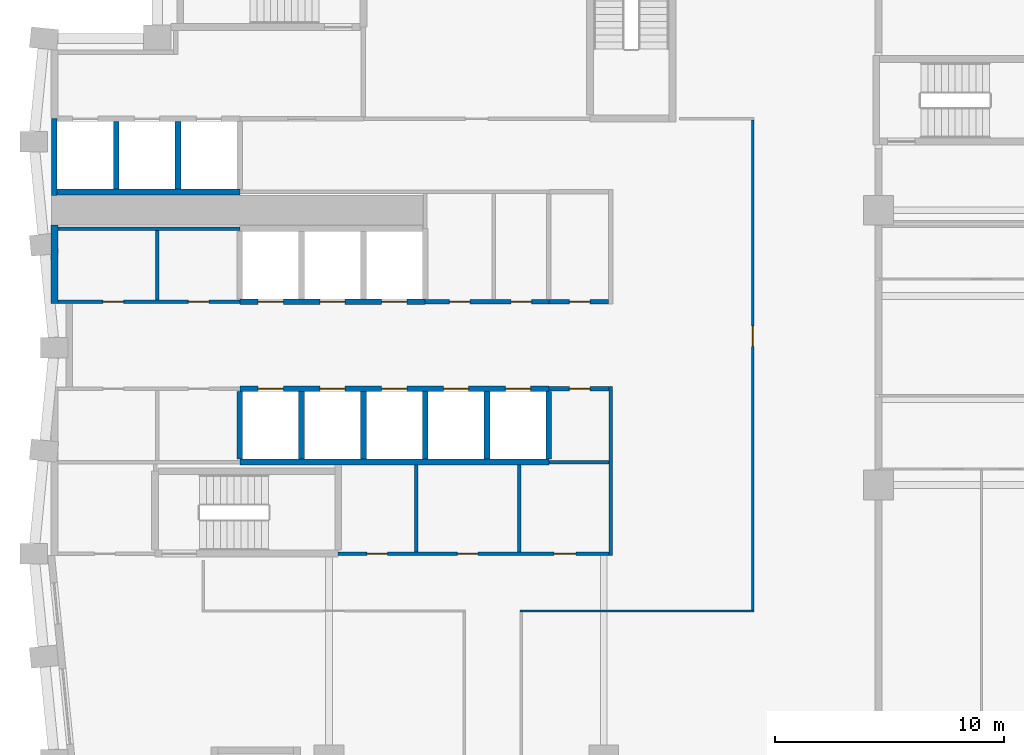
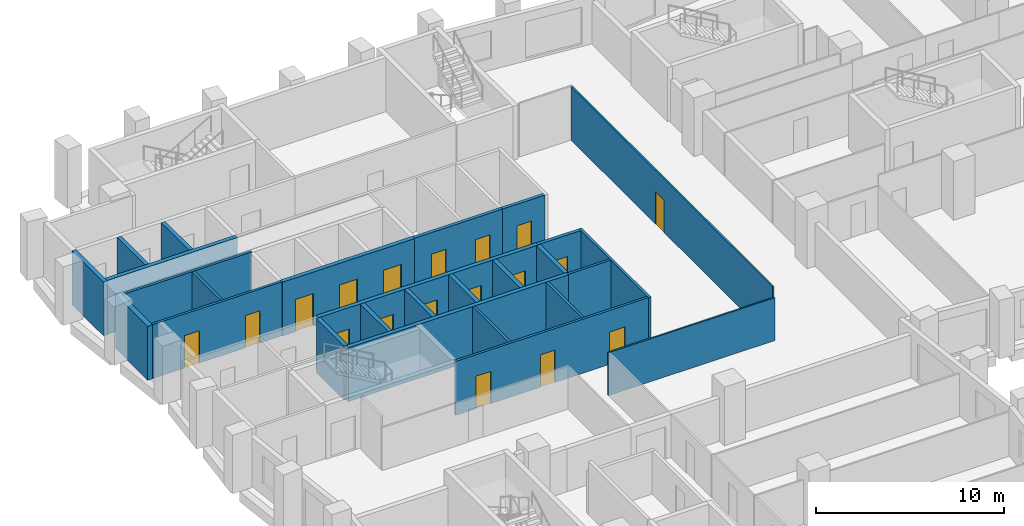
# One storey, part 5 of 11: 27 walls, 18 doors, 18 openings.
"""IFC4 building model written with IfcOpenShell, lengths in metres."""

from ifc_helpers import new_model, si_unit, direction, frame, frame_2d, origin, place, context, subcontext, project, spatial, rectangle, extrude, material, layer, layer_set, type_object, element, fill, save


model = new_model("IFC4")

# Units and contexts
model_context = context("Model", 3, precision=1e-05, world=origin(), true_north=direction((0.0, 1.0)))
body_context = subcontext(model_context, "Body", "Model", "MODEL_VIEW")
ifc_project = project(units=[si_unit("LENGTHUNIT", "METRE"), si_unit("AREAUNIT", "SQUARE_METRE"), si_unit("VOLUMEUNIT", "CUBIC_METRE"), si_unit("PLANEANGLEUNIT", "RADIAN"), si_unit("MASSUNIT", "GRAM", prefix="KILO")], contexts=[model_context])

# Site, building, storey
site_placement = place(None, origin())
site = spatial("IfcSite", under=ifc_project, at=site_placement, CompositionType="ELEMENT")
building_placement = place(site_placement, origin())
building = spatial("IfcBuilding", under=site, at=building_placement, Name="Brondeck Convention Tower", CompositionType="ELEMENT")
storey_placement = place(building_placement, frame((0.0, 0.0, 122.699951171875)))
storey = spatial("IfcBuildingStorey", under=building, at=storey_placement, Name="L29", CompositionType="ELEMENT", Elevation=122.699951171875)

# Wall, openings, doors
ifc_material_1 = material(Name="Concrete C70/85", Category="concrete")
ifc_layer_1 = layer(ifc_material_1, 0.14990234375)
ifc_layer_set_1 = layer_set([ifc_layer_1], Name="Core beam-seat wall 150 Concrete C70/85")
wall_type_1 = type_object("IfcWallType", Name="Core beam-seat wall 150 Concrete C70/85", PredefinedType="SHEAR", material=ifc_layer_set_1)
wall_1_placement = place(storey_placement, frame((12.39990234375, 36.0, 0.0), z_axis=(0.0, 0.0, 1.0), x_axis=(1.0, 0.0, 0.0)))
wall_1 = element("IfcWall", 1, at=wall_1_placement, inside=storey, type_object=wall_type_1, Name="L29 core wall", PredefinedType="SHEAR", context=body_context, shape_type="SweptSolid", body=[
    extrude(rectangle(XDim=11.8251953125, YDim=0.14990234375, at=frame_2d((5.91259765625, 0.0))), origin(), (0.0, 0.0, 1.0), 3.5),
])
opening_1_placement = place(wall_1_placement, frame((1.25, 0.0, 0.0)))
opening_1 = element("IfcOpeningElement", 2, at=opening_1_placement, cuts=wall_1, Name="Opening C17-03", PredefinedType="OPENING", context=body_context, shape_type="SweptSolid", body=[
    extrude(rectangle(XDim=0.89990234375, YDim=2.10009765625, at=frame_2d((0.449951171875, 1.050048828125))), frame((0.0, 0.0849609375, 0.0), z_axis=(0.0, -1.0, 0.0), x_axis=(1.0, 0.0, 0.0)), (0.0, 0.0, 1.0), 0.169921875),
])
opening_2_placement = place(wall_1_placement, frame((5.199951171875, 0.0, 0.0)))
opening_2 = element("IfcOpeningElement", 3, at=opening_2_placement, cuts=wall_1, Name="Opening C17-04", PredefinedType="OPENING", context=body_context, shape_type="SweptSolid", body=[
    extrude(rectangle(XDim=0.89990234375, YDim=2.10009765625, at=frame_2d((0.449951171875, 1.050048828125))), frame((0.0, 0.0849609375, 0.0), z_axis=(0.0, -1.0, 0.0), x_axis=(1.0, 0.0, 0.0)), (0.0, 0.0, 1.0), 0.169921875),
])
opening_3_placement = place(wall_1_placement, frame((9.425048828125, 0.0, 0.0)))
opening_3 = element("IfcOpeningElement", 4, at=opening_3_placement, cuts=wall_1, Name="Opening C17-05", PredefinedType="OPENING", context=body_context, shape_type="SweptSolid", body=[
    extrude(rectangle(XDim=0.949951171875, YDim=2.10009765625, at=frame_2d((0.47509765625, 1.050048828125))), frame((0.0, 0.0849609375, 0.0), z_axis=(0.0, -1.0, 0.0), x_axis=(1.0, 0.0, 0.0)), (0.0, 0.0, 1.0), 0.169921875),
])
ifc_material_2 = material(Name="Steel fire door", Category="steel")
door_type_1 = type_object("IfcDoorType", Name="Room door 900x2100 EI 60", OperationType="NOTDEFINED", PredefinedType="DOOR", material=ifc_material_2)
door_1_placement = place(opening_1_placement, origin())
door_1 = element("IfcDoor", 5, at=door_1_placement, inside=storey, type_object=door_type_1, Name="L29 Room door FR-1", OperationType="SINGLE_SWING_RIGHT", OverallHeight=2.10009765625, OverallWidth=0.89990234375, PredefinedType="DOOR", context=body_context, shape_type="SweptSolid", body=[
    extrude(rectangle(XDim=0.89990234375, YDim=2.10009765625, at=frame_2d((0.449951171875, 1.050048828125))), frame((0.0, 0.02490234375, 0.0), z_axis=(0.0, -1.0, 0.0), x_axis=(1.0, 0.0, 0.0)), (0.0, 0.0, 1.0), 0.050048828125),
])
fill(opening_1, door_1)
door_2_placement = place(opening_2_placement, origin())
door_2 = element("IfcDoor", 6, at=door_2_placement, inside=storey, type_object=door_type_1, Name="L29 Room door FR-2", OperationType="SINGLE_SWING_LEFT", OverallHeight=2.10009765625, OverallWidth=0.89990234375, PredefinedType="DOOR", context=body_context, shape_type="SweptSolid", body=[
    extrude(rectangle(XDim=0.89990234375, YDim=2.10009765625, at=frame_2d((0.449951171875, 1.050048828125))), frame((0.0, 0.02490234375, 0.0), z_axis=(0.0, -1.0, 0.0), x_axis=(1.0, 0.0, 0.0)), (0.0, 0.0, 1.0), 0.050048828125),
])
fill(opening_2, door_2)
door_type_2 = type_object("IfcDoorType", Name="Room door 950x2100 EI 60", OperationType="NOTDEFINED", PredefinedType="DOOR", material=ifc_material_2)
door_3_placement = place(opening_3_placement, origin())
door_3 = element("IfcDoor", 7, at=door_3_placement, inside=storey, type_object=door_type_2, Name="L29 Room door FR-3", OperationType="SINGLE_SWING_RIGHT", OverallHeight=2.10009765625, OverallWidth=0.949951171875, PredefinedType="DOOR", context=body_context, shape_type="SweptSolid", body=[
    extrude(rectangle(XDim=0.949951171875, YDim=2.10009765625, at=frame_2d((0.47509765625, 1.050048828125))), frame((0.0, 0.02490234375, 0.0), z_axis=(0.0, -1.0, 0.0), x_axis=(1.0, 0.0, 0.0)), (0.0, 0.0, 1.0), 0.050048828125),
])
fill(opening_3, door_3)

# Walls
ifc_layer_2 = layer(ifc_material_1, 0.300048828125)
ifc_layer_set_2 = layer_set([ifc_layer_2], Name="Core outer wall 300 Concrete C70/85")
wall_type_2 = type_object("IfcWallType", Name="Core outer wall 300 Concrete C70/85", PredefinedType="SHEAR", material=ifc_layer_set_2)
wall_2_placement = place(storey_placement, frame((0.0, 46.925048828125, 0.0), z_axis=(0.0, 0.0, 1.0), x_axis=(0.0, 1.0, 0.0)))
element("IfcWall", 8, at=wall_2_placement, inside=storey, type_object=wall_type_2, Name="L29 core wall", PredefinedType="SHEAR", context=body_context, shape_type="SweptSolid", body=[
    extrude(rectangle(XDim=3.425048828125, YDim=0.300048828125, at=frame_2d((1.71240234375, 0.0))), origin(), (0.0, 0.0, 1.0), 3.5),
])
ifc_material_3 = material(Name="Fire-rated gypsum board partition")
ifc_layer_3 = layer(ifc_material_3, 0.14990234375)
ifc_layer_set_3 = layer_set([ifc_layer_3], Name="Core partition 150 EI 60")
wall_type_3 = type_object("IfcWallType", Name="Core partition 150 EI 60", PredefinedType="PARTITIONING", material=ifc_layer_set_3)
wall_3_placement = place(storey_placement, frame((21.60009765625, 40.0, 0.0), z_axis=(0.0, 0.0, 1.0), x_axis=(1.0, 0.0, 0.0)))
element("IfcWall", 9, at=wall_3_placement, inside=storey, type_object=wall_type_3, Name="L29 core wall", PredefinedType="PARTITIONING", context=body_context, shape_type="SweptSolid", body=[
    extrude(rectangle(XDim=2.625, YDim=0.14990234375, at=frame_2d((1.3125, 0.0))), origin(), (0.0, 0.0, 1.0), 3.5),
])

# Wall, openings, doors
wall_4_placement = place(storey_placement, frame((0.14990234375, 47.0, 0.0), z_axis=(0.0, 0.0, 1.0), x_axis=(1.0, 0.0, 0.0)))
wall_4 = element("IfcWall", 10, at=wall_4_placement, inside=storey, type_object=wall_type_3, Name="L29 core wall", PredefinedType="PARTITIONING", context=body_context, shape_type="SweptSolid", body=[
    extrude(rectangle(XDim=7.9501953125, YDim=0.14990234375, at=frame_2d((3.97509765625, 0.0))), origin(), (0.0, 0.0, 1.0), 3.5),
])
opening_4_placement = place(wall_4_placement, frame((1.97509765625, 0.0, 0.0)))
opening_4 = element("IfcOpeningElement", 11, at=opening_4_placement, cuts=wall_4, Name="Opening C17-07", PredefinedType="OPENING", context=body_context, shape_type="SweptSolid", body=[
    extrude(rectangle(XDim=0.89990234375, YDim=2.10009765625, at=frame_2d((0.449951171875, 1.050048828125))), frame((0.0, 0.0849609375, 0.0), z_axis=(0.0, -1.0, 0.0), x_axis=(1.0, 0.0, 0.0)), (0.0, 0.0, 1.0), 0.169921875),
])
opening_5_placement = place(wall_4_placement, frame((5.699951171875, 0.0, 0.0)))
opening_5 = element("IfcOpeningElement", 12, at=opening_5_placement, cuts=wall_4, Name="Opening C17-08", PredefinedType="OPENING", context=body_context, shape_type="SweptSolid", body=[
    extrude(rectangle(XDim=0.89990234375, YDim=2.10009765625, at=frame_2d((0.449951171875, 1.050048828125))), frame((0.0, 0.0849609375, 0.0), z_axis=(0.0, -1.0, 0.0), x_axis=(1.0, 0.0, 0.0)), (0.0, 0.0, 1.0), 0.169921875),
])
door_4_placement = place(opening_4_placement, origin())
door_4 = element("IfcDoor", 13, at=door_4_placement, inside=storey, type_object=door_type_1, Name="L29 Room door FZ-N-0-1", OperationType="SINGLE_SWING_RIGHT", OverallHeight=2.10009765625, OverallWidth=0.89990234375, PredefinedType="DOOR", context=body_context, shape_type="SweptSolid", body=[
    extrude(rectangle(XDim=0.89990234375, YDim=2.10009765625, at=frame_2d((0.449951171875, 1.050048828125))), frame((0.0, 0.02490234375, 0.0), z_axis=(0.0, -1.0, 0.0), x_axis=(1.0, 0.0, 0.0)), (0.0, 0.0, 1.0), 0.050048828125),
])
fill(opening_4, door_4)
door_5_placement = place(opening_5_placement, origin())
door_5 = element("IfcDoor", 14, at=door_5_placement, inside=storey, type_object=door_type_1, Name="L29 Room door FZ-N-0-2", OperationType="SINGLE_SWING_LEFT", OverallHeight=2.10009765625, OverallWidth=0.89990234375, PredefinedType="DOOR", context=body_context, shape_type="SweptSolid", body=[
    extrude(rectangle(XDim=0.89990234375, YDim=2.10009765625, at=frame_2d((0.449951171875, 1.050048828125))), frame((0.0, 0.02490234375, 0.0), z_axis=(0.0, -1.0, 0.0), x_axis=(1.0, 0.0, 0.0)), (0.0, 0.0, 1.0), 0.050048828125),
])
fill(opening_5, door_5)

# Walls
wall_5_placement = place(storey_placement, frame((0.14990234375, 50.199951171875, 0.0), z_axis=(0.0, 0.0, 1.0), x_axis=(1.0, 0.0, 0.0)))
element("IfcWall", 15, at=wall_5_placement, inside=storey, type_object=wall_type_3, Name="L29 core wall", PredefinedType="PARTITIONING", context=body_context, shape_type="SweptSolid", body=[
    extrude(rectangle(XDim=7.9501953125, YDim=0.14990234375, at=frame_2d((3.97509765625, 0.0))), origin(), (0.0, 0.0, 1.0), 3.5),
])
wall_6_placement = place(storey_placement, frame((4.5, 47.074951171875, 0.0), z_axis=(0.0, 0.0, 1.0), x_axis=(0.0, 1.0, 0.0)))
element("IfcWall", 16, at=wall_6_placement, inside=storey, type_object=wall_type_3, Name="L29 core wall", PredefinedType="PARTITIONING", context=body_context, shape_type="SweptSolid", body=[
    extrude(rectangle(XDim=3.050048828125, YDim=0.14990234375, at=frame_2d((1.52490234375, 0.0))), origin(), (0.0, 0.0, 1.0), 3.5),
])
for number, where, z_axis, x_axis, name in (
    (17, (15.800048828125, 36.074951171875, 0.0), (0.0, 0.0, 1.0), (0.0, 1.0, 0.0), "L29 core wall"),
    (18, (20.300048828125, 36.074951171875, 0.0), (0.0, 0.0, 1.0), (0.0, 1.0, 0.0), "L29 core wall"),
):
    element("IfcWall", number, at=place(storey_placement, frame(where, z_axis=z_axis, x_axis=x_axis)), inside=storey, type_object=wall_type_3, Name=name, PredefinedType="PARTITIONING", context=body_context, shape_type="SweptSolid", body=[
        extrude(rectangle(XDim=3.800048828125, YDim=0.14990234375, at=frame_2d((1.89990234375, 0.0))), origin(), (0.0, 0.0, 1.0), 3.5),
    ])
wall_7_placement = place(storey_placement, frame((24.300048828125, 35.925048828125, 0.0), z_axis=(0.0, 0.0, 1.0), x_axis=(0.0, 1.0, 0.0)))
element("IfcWall", 19, at=wall_7_placement, inside=storey, type_object=wall_type_3, Name="L29 core wall", PredefinedType="PARTITIONING", context=body_context, shape_type="SweptSolid", body=[
    extrude(rectangle(XDim=7.375, YDim=0.14990234375, at=frame_2d((3.6875, 0.0))), origin(), (0.0, 0.0, 1.0), 3.5),
])

# Wall, opening, door
ifc_layer_4 = layer(ifc_material_3, 0.199951171875)
ifc_layer_set_4 = layer_set([ifc_layer_4], Name="Lift lobby wall 200 EI 60")
wall_type_4 = type_object("IfcWallType", Name="Lift lobby wall 200 EI 60", PredefinedType="PARTITIONING", material=ifc_layer_set_4)
wall_8_placement = place(storey_placement, frame((21.60009765625, 43.199951171875, 0.0), z_axis=(0.0, 0.0, 1.0), x_axis=(1.0, 0.0, 0.0)))
wall_8 = element("IfcWall", 20, at=wall_8_placement, inside=storey, type_object=wall_type_4, Name="L29 core wall", PredefinedType="PARTITIONING", context=body_context, shape_type="SweptSolid", body=[
    extrude(rectangle(XDim=2.625, YDim=0.199951171875, at=frame_2d((1.3125, 0.0))), origin(), (0.0, 0.0, 1.0), 3.5),
])
opening_6_placement = place(wall_8_placement, frame((0.89990234375, 0.0, 0.0)))
opening_6 = element("IfcOpeningElement", 21, at=opening_6_placement, cuts=wall_8, Name="Opening C17-13", PredefinedType="OPENING", context=body_context, shape_type="SweptSolid", body=[
    extrude(rectangle(XDim=0.89990234375, YDim=2.10009765625, at=frame_2d((0.449951171875, 1.050048828125))), frame((0.0, 0.10986328125, 0.0), z_axis=(0.0, -1.0, 0.0), x_axis=(1.0, 0.0, 0.0)), (0.0, 0.0, 1.0), 0.219970703125),
])
door_6_placement = place(opening_6_placement, origin())
door_6 = element("IfcDoor", 22, at=door_6_placement, inside=storey, type_object=door_type_1, Name="L29 Room door FZ-S-21.6-1", OperationType="SINGLE_SWING_RIGHT", OverallHeight=2.10009765625, OverallWidth=0.89990234375, PredefinedType="DOOR", context=body_context, shape_type="SweptSolid", body=[
    extrude(rectangle(XDim=0.89990234375, YDim=2.10009765625, at=frame_2d((0.449951171875, 1.050048828125))), frame((0.0, 0.02490234375, 0.0), z_axis=(0.0, -1.0, 0.0), x_axis=(1.0, 0.0, 0.0)), (0.0, 0.0, 1.0), 0.050048828125),
])
fill(opening_6, door_6)

# Wall, openings, doors
wall_9_placement = place(storey_placement, frame((16.199951171875, 47.0, 0.0), z_axis=(0.0, 0.0, 1.0), x_axis=(1.0, 0.0, 0.0)))
wall_9 = element("IfcWall", 23, at=wall_9_placement, inside=storey, type_object=wall_type_4, Name="L29 core wall", PredefinedType="PARTITIONING", context=body_context, shape_type="SweptSolid", body=[
    extrude(rectangle(XDim=5.400146484375, YDim=0.199951171875, at=frame_2d((2.7001953125, 0.0))), origin(), (0.0, 0.0, 1.0), 3.5),
])
opening_7_placement = place(wall_9_placement, frame((1.050048828125, 0.0, 0.0)))
opening_7 = element("IfcOpeningElement", 24, at=opening_7_placement, cuts=wall_9, Name="Opening C17-09", PredefinedType="OPENING", context=body_context, shape_type="SweptSolid", body=[
    extrude(rectangle(XDim=0.89990234375, YDim=2.10009765625, at=frame_2d((0.449951171875, 1.050048828125))), frame((0.0, 0.10986328125, 0.0), z_axis=(0.0, -1.0, 0.0), x_axis=(1.0, 0.0, 0.0)), (0.0, 0.0, 1.0), 0.219970703125),
])
opening_8_placement = place(wall_9_placement, frame((3.75, 0.0, 0.0)))
opening_8 = element("IfcOpeningElement", 25, at=opening_8_placement, cuts=wall_9, Name="Opening C17-10", PredefinedType="OPENING", context=body_context, shape_type="SweptSolid", body=[
    extrude(rectangle(XDim=0.89990234375, YDim=2.10009765625, at=frame_2d((0.449951171875, 1.050048828125))), frame((0.0, 0.10986328125, 0.0), z_axis=(0.0, -1.0, 0.0), x_axis=(1.0, 0.0, 0.0)), (0.0, 0.0, 1.0), 0.219970703125),
])
door_7_placement = place(opening_7_placement, origin())
door_7 = element("IfcDoor", 26, at=door_7_placement, inside=storey, type_object=door_type_1, Name="L29 Room door FZ-N-16.2-1", OperationType="SINGLE_SWING_LEFT", OverallHeight=2.10009765625, OverallWidth=0.89990234375, PredefinedType="DOOR", context=body_context, shape_type="SweptSolid", body=[
    extrude(rectangle(XDim=0.89990234375, YDim=2.10009765625, at=frame_2d((0.449951171875, 1.050048828125))), frame((0.0, 0.02490234375, 0.0), z_axis=(0.0, -1.0, 0.0), x_axis=(1.0, 0.0, 0.0)), (0.0, 0.0, 1.0), 0.050048828125),
])
fill(opening_7, door_7)
door_8_placement = place(opening_8_placement, origin())
door_8 = element("IfcDoor", 27, at=door_8_placement, inside=storey, type_object=door_type_1, Name="L29 Room door FZ-N-16.2-2", OperationType="SINGLE_SWING_RIGHT", OverallHeight=2.10009765625, OverallWidth=0.89990234375, PredefinedType="DOOR", context=body_context, shape_type="SweptSolid", body=[
    extrude(rectangle(XDim=0.89990234375, YDim=2.10009765625, at=frame_2d((0.449951171875, 1.050048828125))), frame((0.0, 0.02490234375, 0.0), z_axis=(0.0, -1.0, 0.0), x_axis=(1.0, 0.0, 0.0)), (0.0, 0.0, 1.0), 0.050048828125),
])
fill(opening_8, door_8)

# Wall
ifc_layer_5 = layer(ifc_material_1, 0.25)
ifc_layer_set_5 = layer_set([ifc_layer_5], Name="Lift shaft wall 250 Concrete C70/85")
wall_type_5 = type_object("IfcWallType", Name="Lift shaft wall 250 Concrete C70/85", PredefinedType="SHEAR", material=ifc_layer_set_5)
wall_10_placement = place(storey_placement, frame((8.10009765625, 40.0, 0.0), z_axis=(0.0, 0.0, 1.0), x_axis=(1.0, 0.0, 0.0)))
element("IfcWall", 28, at=wall_10_placement, inside=storey, type_object=wall_type_5, Name="L29 core wall", PredefinedType="SHEAR", context=body_context, shape_type="SweptSolid", body=[
    extrude(rectangle(XDim=13.5, YDim=0.25, at=frame_2d((6.75, 0.0))), origin(), (0.0, 0.0, 1.0), 3.5),
])

# Wall, openings, doors
wall_11_placement = place(storey_placement, frame((8.10009765625, 43.199951171875, 0.0), z_axis=(0.0, 0.0, 1.0), x_axis=(1.0, 0.0, 0.0)))
wall_11 = element("IfcWall", 29, at=wall_11_placement, inside=storey, type_object=wall_type_5, Name="L29 core wall", PredefinedType="SHEAR", context=body_context, shape_type="SweptSolid", body=[
    extrude(rectangle(XDim=13.5, YDim=0.25, at=frame_2d((6.75, 0.0))), origin(), (0.0, 0.0, 1.0), 3.5),
])
opening_9_placement = place(wall_11_placement, frame((0.800048828125, 0.0, 0.0)))
opening_9 = element("IfcOpeningElement", 30, at=opening_9_placement, cuts=wall_11, Name="Opening C17-25", PredefinedType="OPENING", context=body_context, shape_type="SweptSolid", body=[
    extrude(rectangle(XDim=1.10009765625, YDim=2.10009765625, at=frame_2d((0.550048828125, 1.050048828125))), frame((0.0, 0.135009765625, 0.0), z_axis=(0.0, -1.0, 0.0), x_axis=(1.0, 0.0, 0.0)), (0.0, 0.0, 1.0), 0.27001953125),
])
opening_10_placement = place(wall_11_placement, frame((3.5, 0.0, 0.0)))
opening_10 = element("IfcOpeningElement", 31, at=opening_10_placement, cuts=wall_11, Name="Opening C17-26", PredefinedType="OPENING", context=body_context, shape_type="SweptSolid", body=[
    extrude(rectangle(XDim=1.10009765625, YDim=2.10009765625, at=frame_2d((0.550048828125, 1.050048828125))), frame((0.0, 0.135009765625, 0.0), z_axis=(0.0, -1.0, 0.0), x_axis=(1.0, 0.0, 0.0)), (0.0, 0.0, 1.0), 0.27001953125),
])
opening_11_placement = place(wall_11_placement, frame((6.199951171875, 0.0, 0.0)))
opening_11 = element("IfcOpeningElement", 32, at=opening_11_placement, cuts=wall_11, Name="Opening C17-27", PredefinedType="OPENING", context=body_context, shape_type="SweptSolid", body=[
    extrude(rectangle(XDim=1.10009765625, YDim=2.10009765625, at=frame_2d((0.550048828125, 1.050048828125))), frame((0.0, 0.135009765625, 0.0), z_axis=(0.0, -1.0, 0.0), x_axis=(1.0, 0.0, 0.0)), (0.0, 0.0, 1.0), 0.27001953125),
])
opening_12_placement = place(wall_11_placement, frame((8.89990234375, 0.0, 0.0)))
opening_12 = element("IfcOpeningElement", 33, at=opening_12_placement, cuts=wall_11, Name="Opening C17-31", PredefinedType="OPENING", context=body_context, shape_type="SweptSolid", body=[
    extrude(rectangle(XDim=1.10009765625, YDim=2.10009765625, at=frame_2d((0.550048828125, 1.050048828125))), frame((0.0, 0.135009765625, 0.0), z_axis=(0.0, -1.0, 0.0), x_axis=(1.0, 0.0, 0.0)), (0.0, 0.0, 1.0), 0.27001953125),
])
opening_13_placement = place(wall_11_placement, frame((11.60009765625, 0.0, 0.0)))
opening_13 = element("IfcOpeningElement", 34, at=opening_13_placement, cuts=wall_11, Name="Opening C17-32", PredefinedType="OPENING", context=body_context, shape_type="SweptSolid", body=[
    extrude(rectangle(XDim=1.10009765625, YDim=2.10009765625, at=frame_2d((0.550048828125, 1.050048828125))), frame((0.0, 0.135009765625, 0.0), z_axis=(0.0, -1.0, 0.0), x_axis=(1.0, 0.0, 0.0)), (0.0, 0.0, 1.0), 0.27001953125),
])
ifc_material_4 = material(Name="Stainless steel lift door", Category="steel")
door_type_3 = type_object("IfcDoorType", Name="Lift landing door 1100x2100 EI 180", OperationType="DOUBLE_DOOR_SLIDING", PredefinedType="DOOR", material=ifc_material_4)
door_9_placement = place(opening_9_placement, origin())
door_9 = element("IfcDoor", 35, at=door_9_placement, inside=storey, type_object=door_type_3, Name="L29 Lift landing door LR1", OperationType="DOUBLE_DOOR_SLIDING", OverallHeight=2.10009765625, OverallWidth=1.10009765625, PredefinedType="DOOR", context=body_context, shape_type="SweptSolid", body=[
    extrude(rectangle(XDim=1.10009765625, YDim=2.10009765625, at=frame_2d((0.550048828125, 1.050048828125))), frame((0.0, 0.02490234375, 0.0), z_axis=(0.0, -1.0, 0.0), x_axis=(1.0, 0.0, 0.0)), (0.0, 0.0, 1.0), 0.050048828125),
])
fill(opening_9, door_9)
door_10_placement = place(opening_10_placement, origin())
door_10 = element("IfcDoor", 36, at=door_10_placement, inside=storey, type_object=door_type_3, Name="L29 Lift landing door LR2", OperationType="DOUBLE_DOOR_SLIDING", OverallHeight=2.10009765625, OverallWidth=1.10009765625, PredefinedType="DOOR", context=body_context, shape_type="SweptSolid", body=[
    extrude(rectangle(XDim=1.10009765625, YDim=2.10009765625, at=frame_2d((0.550048828125, 1.050048828125))), frame((0.0, 0.02490234375, 0.0), z_axis=(0.0, -1.0, 0.0), x_axis=(1.0, 0.0, 0.0)), (0.0, 0.0, 1.0), 0.050048828125),
])
fill(opening_10, door_10)
door_11_placement = place(opening_11_placement, origin())
door_11 = element("IfcDoor", 37, at=door_11_placement, inside=storey, type_object=door_type_3, Name="L29 Lift landing door LR3", OperationType="DOUBLE_DOOR_SLIDING", OverallHeight=2.10009765625, OverallWidth=1.10009765625, PredefinedType="DOOR", context=body_context, shape_type="SweptSolid", body=[
    extrude(rectangle(XDim=1.10009765625, YDim=2.10009765625, at=frame_2d((0.550048828125, 1.050048828125))), frame((0.0, 0.02490234375, 0.0), z_axis=(0.0, -1.0, 0.0), x_axis=(1.0, 0.0, 0.0)), (0.0, 0.0, 1.0), 0.050048828125),
])
fill(opening_11, door_11)
door_12_placement = place(opening_12_placement, origin())
door_12 = element("IfcDoor", 38, at=door_12_placement, inside=storey, type_object=door_type_3, Name="L29 Lift landing door SH1", OperationType="DOUBLE_DOOR_SLIDING", OverallHeight=2.10009765625, OverallWidth=1.10009765625, PredefinedType="DOOR", context=body_context, shape_type="SweptSolid", body=[
    extrude(rectangle(XDim=1.10009765625, YDim=2.10009765625, at=frame_2d((0.550048828125, 1.050048828125))), frame((0.0, 0.02490234375, 0.0), z_axis=(0.0, -1.0, 0.0), x_axis=(1.0, 0.0, 0.0)), (0.0, 0.0, 1.0), 0.050048828125),
])
fill(opening_12, door_12)
door_13_placement = place(opening_13_placement, origin())
door_13 = element("IfcDoor", 39, at=door_13_placement, inside=storey, type_object=door_type_3, Name="L29 Lift landing door SH2", OperationType="DOUBLE_DOOR_SLIDING", OverallHeight=2.10009765625, OverallWidth=1.10009765625, PredefinedType="DOOR", context=body_context, shape_type="SweptSolid", body=[
    extrude(rectangle(XDim=1.10009765625, YDim=2.10009765625, at=frame_2d((0.550048828125, 1.050048828125))), frame((0.0, 0.02490234375, 0.0), z_axis=(0.0, -1.0, 0.0), x_axis=(1.0, 0.0, 0.0)), (0.0, 0.0, 1.0), 0.050048828125),
])
fill(opening_13, door_13)

wall_12_placement = place(storey_placement, frame((8.10009765625, 47.0, 0.0), z_axis=(0.0, 0.0, 1.0), x_axis=(1.0, 0.0, 0.0)))
wall_12 = element("IfcWall", 40, at=wall_12_placement, inside=storey, type_object=wall_type_5, Name="L29 core wall", PredefinedType="SHEAR", context=body_context, shape_type="SweptSolid", body=[
    extrude(rectangle(XDim=8.099853515625, YDim=0.25, at=frame_2d((4.0498046875, 0.0))), origin(), (0.0, 0.0, 1.0), 3.5),
])
opening_14_placement = place(wall_12_placement, frame((0.800048828125, 0.0, 0.0)))
opening_14 = element("IfcOpeningElement", 41, at=opening_14_placement, cuts=wall_12, Name="Opening C17-28", PredefinedType="OPENING", context=body_context, shape_type="SweptSolid", body=[
    extrude(rectangle(XDim=1.10009765625, YDim=2.10009765625, at=frame_2d((0.550048828125, 1.050048828125))), frame((0.0, 0.135009765625, 0.0), z_axis=(0.0, -1.0, 0.0), x_axis=(1.0, 0.0, 0.0)), (0.0, 0.0, 1.0), 0.27001953125),
])
opening_15_placement = place(wall_12_placement, frame((3.5, 0.0, 0.0)))
opening_15 = element("IfcOpeningElement", 42, at=opening_15_placement, cuts=wall_12, Name="Opening C17-29", PredefinedType="OPENING", context=body_context, shape_type="SweptSolid", body=[
    extrude(rectangle(XDim=1.10009765625, YDim=2.10009765625, at=frame_2d((0.550048828125, 1.050048828125))), frame((0.0, 0.135009765625, 0.0), z_axis=(0.0, -1.0, 0.0), x_axis=(1.0, 0.0, 0.0)), (0.0, 0.0, 1.0), 0.27001953125),
])
opening_16_placement = place(wall_12_placement, frame((6.199951171875, 0.0, 0.0)))
opening_16 = element("IfcOpeningElement", 43, at=opening_16_placement, cuts=wall_12, Name="Opening C17-30", PredefinedType="OPENING", context=body_context, shape_type="SweptSolid", body=[
    extrude(rectangle(XDim=1.10009765625, YDim=2.10009765625, at=frame_2d((0.550048828125, 1.050048828125))), frame((0.0, 0.135009765625, 0.0), z_axis=(0.0, -1.0, 0.0), x_axis=(1.0, 0.0, 0.0)), (0.0, 0.0, 1.0), 0.27001953125),
])
door_14_placement = place(opening_14_placement, origin())
door_14 = element("IfcDoor", 44, at=door_14_placement, inside=storey, type_object=door_type_3, Name="L29 Lift landing door LR4", OperationType="DOUBLE_DOOR_SLIDING", OverallHeight=2.10009765625, OverallWidth=1.10009765625, PredefinedType="DOOR", context=body_context, shape_type="SweptSolid", body=[
    extrude(rectangle(XDim=1.10009765625, YDim=2.10009765625, at=frame_2d((0.550048828125, 1.050048828125))), frame((0.0, 0.02490234375, 0.0), z_axis=(0.0, -1.0, 0.0), x_axis=(1.0, 0.0, 0.0)), (0.0, 0.0, 1.0), 0.050048828125),
])
fill(opening_14, door_14)
door_15_placement = place(opening_15_placement, origin())
door_15 = element("IfcDoor", 45, at=door_15_placement, inside=storey, type_object=door_type_3, Name="L29 Lift landing door LR5", OperationType="DOUBLE_DOOR_SLIDING", OverallHeight=2.10009765625, OverallWidth=1.10009765625, PredefinedType="DOOR", context=body_context, shape_type="SweptSolid", body=[
    extrude(rectangle(XDim=1.10009765625, YDim=2.10009765625, at=frame_2d((0.550048828125, 1.050048828125))), frame((0.0, 0.02490234375, 0.0), z_axis=(0.0, -1.0, 0.0), x_axis=(1.0, 0.0, 0.0)), (0.0, 0.0, 1.0), 0.050048828125),
])
fill(opening_15, door_15)
door_16_placement = place(opening_16_placement, origin())
door_16 = element("IfcDoor", 46, at=door_16_placement, inside=storey, type_object=door_type_3, Name="L29 Lift landing door LR6", OperationType="DOUBLE_DOOR_SLIDING", OverallHeight=2.10009765625, OverallWidth=1.10009765625, PredefinedType="DOOR", context=body_context, shape_type="SweptSolid", body=[
    extrude(rectangle(XDim=1.10009765625, YDim=2.10009765625, at=frame_2d((0.550048828125, 1.050048828125))), frame((0.0, 0.02490234375, 0.0), z_axis=(0.0, -1.0, 0.0), x_axis=(1.0, 0.0, 0.0)), (0.0, 0.0, 1.0), 0.050048828125),
])
fill(opening_16, door_16)

# Walls
wall_13_placement = place(storey_placement, frame((0.125, 51.800048828125, 0.0), z_axis=(0.0, 0.0, 1.0), x_axis=(1.0, 0.0, 0.0)))
element("IfcWall", 47, at=wall_13_placement, inside=storey, type_object=wall_type_5, Name="L29 core wall", PredefinedType="SHEAR", context=body_context, shape_type="SweptSolid", body=[
    extrude(rectangle(XDim=7.97509765625, YDim=0.25, at=frame_2d((3.987548828125, 0.0))), origin(), (0.0, 0.0, 1.0), 3.5),
])
wall_14_placement = place(storey_placement, frame((0.0, 51.64990234375, 0.0), z_axis=(0.0, 0.0, 1.0), x_axis=(0.0, 1.0, 0.0)))
element("IfcWall", 48, at=wall_14_placement, inside=storey, type_object=wall_type_5, Name="L29 core wall", PredefinedType="SHEAR", context=body_context, shape_type="SweptSolid", body=[
    extrude(rectangle(XDim=3.35009765625, YDim=0.25, at=frame_2d((1.675048828125, 0.0))), origin(), (0.0, 0.0, 1.0), 3.5),
])
for number, where, z_axis, x_axis, name in (
    (49, (2.699951171875, 51.925048828125, 0.0), (0.0, 0.0, 1.0), (0.0, 1.0, 0.0), "L29 core wall"),
    (50, (5.39990234375, 51.925048828125, 0.0), (0.0, 0.0, 1.0), (0.0, 1.0, 0.0), "L29 core wall"),
    (51, (8.10009765625, 40.125, 0.0), (0.0, 0.0, 1.0), (0.0, 1.0, 0.0), "L29 core wall"),
    (52, (10.800048828125, 40.125, 0.0), (0.0, 0.0, 1.0), (0.0, 1.0, 0.0), "L29 core wall"),
    (53, (13.5, 40.125, 0.0), (0.0, 0.0, 1.0), (0.0, 1.0, 0.0), "L29 core wall"),
    (54, (16.199951171875, 40.125, 0.0), (0.0, 0.0, 1.0), (0.0, 1.0, 0.0), "L29 core wall"),
    (55, (18.89990234375, 40.125, 0.0), (0.0, 0.0, 1.0), (0.0, 1.0, 0.0), "L29 core wall"),
    (56, (21.60009765625, 40.125, 0.0), (0.0, 0.0, 1.0), (0.0, 1.0, 0.0), "L29 core wall"),
):
    element("IfcWall", number, at=place(storey_placement, frame(where, z_axis=z_axis, x_axis=x_axis)), inside=storey, type_object=wall_type_5, Name=name, PredefinedType="SHEAR", context=body_context, shape_type="SweptSolid", body=[
        extrude(rectangle(XDim=2.949951171875, YDim=0.25, at=frame_2d((1.47509765625, 0.0))), origin(), (0.0, 0.0, 1.0), 3.5),
    ])

# Wall, opening, door
ifc_layer_6 = layer(ifc_material_3, 0.199951171875)
ifc_layer_set_6 = layer_set([ifc_layer_6], Name="Riser wall 200 EI 120")
wall_type_6 = type_object("IfcWallType", Name="Riser wall 200 EI 120", PredefinedType="PARTITIONING", material=ifc_layer_set_6)
wall_15_placement = place(storey_placement, frame((21.60009765625, 47.0, 0.0), z_axis=(0.0, 0.0, 1.0), x_axis=(1.0, 0.0, 0.0)))
wall_15 = element("IfcWall", 57, at=wall_15_placement, inside=storey, type_object=wall_type_6, Name="L29 core wall", PredefinedType="PARTITIONING", context=body_context, shape_type="SweptSolid", body=[
    extrude(rectangle(XDim=2.599853515625, YDim=0.199951171875, at=frame_2d((1.2998046875, 0.0))), origin(), (0.0, 0.0, 1.0), 3.5),
])
opening_17_placement = place(wall_15_placement, frame((0.89990234375, 0.0, 0.0)))
opening_17 = element("IfcOpeningElement", 58, at=opening_17_placement, cuts=wall_15, Name="Opening C17-02", PredefinedType="OPENING", context=body_context, shape_type="SweptSolid", body=[
    extrude(rectangle(XDim=0.89990234375, YDim=2.10009765625, at=frame_2d((0.449951171875, 1.050048828125))), frame((0.0, 0.10986328125, 0.0), z_axis=(0.0, -1.0, 0.0), x_axis=(1.0, 0.0, 0.0)), (0.0, 0.0, 1.0), 0.219970703125),
])
door_type_4 = type_object("IfcDoorType", Name="Riser door 900x2100 EI 120", OperationType="NOTDEFINED", PredefinedType="DOOR", material=ifc_material_2)
door_17_placement = place(opening_17_placement, origin())
door_17 = element("IfcDoor", 59, at=door_17_placement, inside=storey, type_object=door_type_4, Name="L29 Riser door EN-1", OperationType="SINGLE_SWING_LEFT", OverallHeight=2.10009765625, OverallWidth=0.89990234375, PredefinedType="DOOR", context=body_context, shape_type="SweptSolid", body=[
    extrude(rectangle(XDim=0.89990234375, YDim=2.10009765625, at=frame_2d((0.449951171875, 1.050048828125))), frame((0.0, 0.02490234375, 0.0), z_axis=(0.0, -1.0, 0.0), x_axis=(1.0, 0.0, 0.0)), (0.0, 0.0, 1.0), 0.050048828125),
])
fill(opening_17, door_17)

# Wall
ifc_material_5 = material(Name="Gypsum board partition on steel studs", Category="steel")
ifc_layer_7 = layer(ifc_material_5, 0.10009765625)
ifc_layer_set_7 = layer_set([ifc_layer_7], Name="Room partition 100")
wall_type_7 = type_object("IfcWallType", Name="Room partition 100", PredefinedType="PARTITIONING", material=ifc_layer_set_7)
wall_16_placement = place(storey_placement, frame((30.550048828125, 33.5, 0.0), z_axis=(0.0, 0.0, 1.0), x_axis=(-1.0, 0.0, 0.0)))
element("IfcWall", 60, at=wall_16_placement, inside=storey, type_object=wall_type_7, Name="FLR-L29-W029", PredefinedType="PARTITIONING", context=body_context, shape_type="SweptSolid", body=[
    extrude(rectangle(XDim=10.199951171875, YDim=0.10009765625, at=frame_2d((5.10009765625, 0.0))), origin(), (0.0, 0.0, 1.0), 2.780029296875),
])

# Wall, opening, door
wall_17_placement = place(storey_placement, frame((30.5, 54.949951171875, 0.0), z_axis=(0.0, 0.0, 1.0), x_axis=(0.0, -1.0, 0.0)))
wall_17 = element("IfcWall", 61, at=wall_17_placement, inside=storey, type_object=wall_type_7, Name="FLR-L29-W074", PredefinedType="PARTITIONING", context=body_context, shape_type="SweptSolid", body=[
    extrude(rectangle(XDim=21.39990234375, YDim=0.10009765625, at=frame_2d((10.699951171875, 0.0))), origin(), (0.0, 0.0, 1.0), 3.47998046875),
])
opening_18_placement = place(wall_17_placement, frame((9.0, 0.0, 0.0)))
opening_18 = element("IfcOpeningElement", 62, at=opening_18_placement, cuts=wall_17, Name="Opening OF-D-024", PredefinedType="OPENING", context=body_context, shape_type="SweptSolid", body=[
    extrude(rectangle(XDim=0.89990234375, YDim=2.10009765625, at=frame_2d((0.449951171875, 1.050048828125))), frame((0.0, 0.06005859375, 0.0), z_axis=(0.0, -1.0, 0.0), x_axis=(1.0, 0.0, 0.0)), (0.0, 0.0, 1.0), 0.1201171875),
])
ifc_material_6 = material(Name="Solid timber door leaf", Category="wood")
door_type_5 = type_object("IfcDoorType", Name="Single door 900", OperationType="NOTDEFINED", PredefinedType="DOOR", material=ifc_material_6)
door_18_placement = place(opening_18_placement, origin())
door_18 = element("IfcDoor", 63, at=door_18_placement, inside=storey, type_object=door_type_5, Name="Door OF-D-024", OperationType="SINGLE_SWING_LEFT", OverallHeight=2.10009765625, OverallWidth=0.89990234375, PredefinedType="DOOR", context=body_context, shape_type="SweptSolid", body=[
    extrude(rectangle(XDim=0.89990234375, YDim=2.10009765625, at=frame_2d((0.449951171875, 1.050048828125))), frame((0.0, 0.02490234375, 0.0), z_axis=(0.0, -1.0, 0.0), x_axis=(1.0, 0.0, 0.0)), (0.0, 0.0, 1.0), 0.050048828125),
])
fill(opening_18, door_18)

save(model, "model.ifc")
